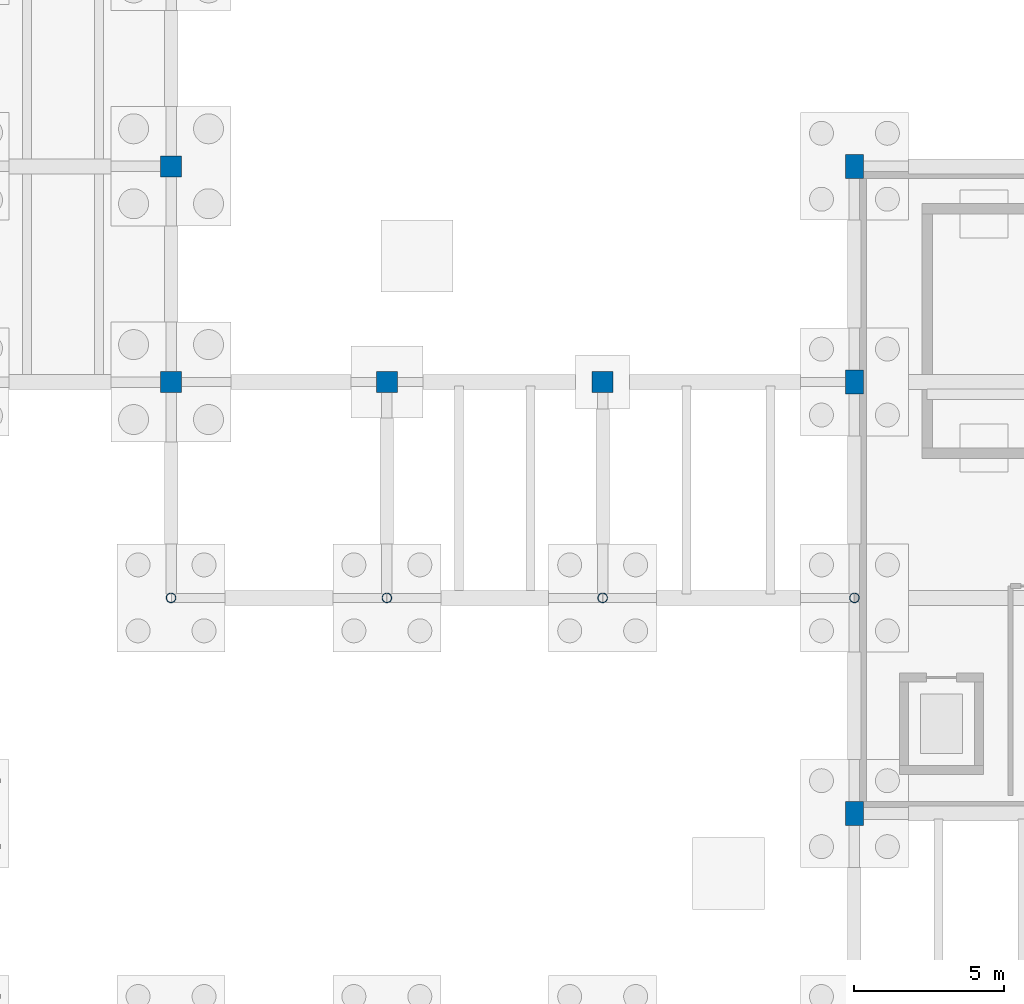
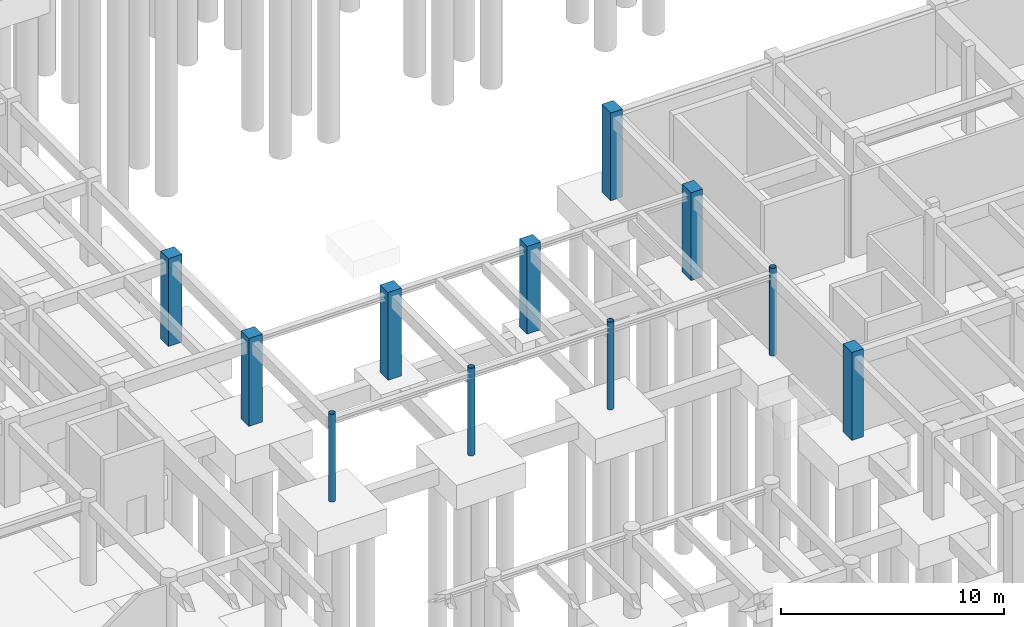
# One storey, part 16 of 46: 11 columns.
"""IFC4 building model written with IfcOpenShell, lengths in metres."""

import ifcopenshell
import ifcopenshell.guid

model = None  # the IFC model being written
_history = None  # IfcOwnerHistory: only IFC2X3 demands one
_inside = {}  # id of a spatial element -> (the spatial element, [elements in it])
_under = {}  # id of a project, library or spatial element -> (it, [spatial elements below it])
_declared = {}  # id of a project -> (the project, [libraries it declares])
_typed = {}  # id of a type object -> (the type object, [elements of that type])
_made_of = {}  # id of a material, layer set ... -> (it, [elements and type objects made of it])


def new_model(schema):
    """Start an empty IFC model of exactly this schema.

    Asked for "IFC4X3", IfcOpenShell would pick the latest addendum, in which some entities
    have other attributes; the version numbers below select the first issue.
    IFC2X3 requires an IfcOwnerHistory on every rooted entity: one is made here for all.
    """
    global model, _history
    if schema == "IFC4X3":
        model = ifcopenshell.file(schema_version=(4, 3, 0, 0))
    else:
        model = ifcopenshell.file(schema=schema)
    _inside.clear()
    _under.clear()
    _declared.clear()
    _typed.clear()
    _made_of.clear()
    _history = None
    if model.schema == "IFC2X3":
        org = make("IfcOrganization", Name="unknown")
        user = make(
            "IfcPersonAndOrganization",
            ThePerson=make("IfcPerson", FamilyName="unknown"),
            TheOrganization=org,
        )
        app = make(
            "IfcApplication",
            ApplicationDeveloper=org,
            Version="unknown",
            ApplicationFullName="unknown",
            ApplicationIdentifier="unknown",
        )
        _history = make(
            "IfcOwnerHistory",
            OwningUser=user,
            OwningApplication=app,
            ChangeAction="ADDED",
            CreationDate=0,
        )
    return model


def make(cls, **values):
    """One entity of the class cls with the attributes given. An attribute that is None is left unset."""
    return model.create_entity(
        cls, **{name: value for name, value in values.items() if value is not None}
    )


def rooted(cls, **values):
    """An entity with a GlobalId (a new one), such as an element, a storey or a relation."""
    return make(cls, GlobalId=ifcopenshell.guid.new(), OwnerHistory=_history, **values)


def si_unit(unit_type, name, prefix=None):
    """IfcSIUnit, for example si_unit("LENGTHUNIT", "METRE", prefix="MILLI")."""
    return make("IfcSIUnit", UnitType=unit_type, Prefix=prefix, Name=name)


def assignment(units):
    """IfcUnitAssignment: the units of a project."""
    return None if units is None else make("IfcUnitAssignment", Units=units)


def point(xyz):
    """IfcCartesianPoint."""
    return None if xyz is None else make("IfcCartesianPoint", Coordinates=xyz)


def direction(xyz):
    """IfcDirection."""
    return None if xyz is None else make("IfcDirection", DirectionRatios=xyz)


def frame(location, z_axis=None, x_axis=None):
    """IfcAxis2Placement3D, a coordinate frame: its origin and axes. An axis left out is left unset."""
    return make(
        "IfcAxis2Placement3D",
        Location=point(location),
        Axis=direction(z_axis),
        RefDirection=direction(x_axis),
    )


def frame_2d(location, x_axis=None):
    """IfcAxis2Placement2D, a coordinate frame in the plane: its origin and x axis."""
    return make(
        "IfcAxis2Placement2D", Location=point(location), RefDirection=direction(x_axis)
    )


def origin():
    """The frame at (0, 0, 0) with its axes left unset."""
    return frame((0.0, 0.0, 0.0))


def origin_2d():
    """The frame at (0, 0) in the plane with its x axis left unset."""
    return frame_2d((0.0, 0.0))


def place(relative_to, where):
    """IfcLocalPlacement: puts the frame where relative to a parent placement (None: the world)."""
    return make(
        "IfcLocalPlacement", PlacementRelTo=relative_to, RelativePlacement=where
    )


def context(
    kind, dimensions, precision=None, world=None, true_north=None, identifier=None
):
    """IfcGeometricRepresentationContext, for example the 3D "Model" context."""
    return make(
        "IfcGeometricRepresentationContext",
        ContextIdentifier=identifier,
        ContextType=kind,
        CoordinateSpaceDimension=dimensions,
        Precision=precision,
        WorldCoordinateSystem=world,
        TrueNorth=true_north,
    )


def subcontext(parent, identifier, kind, view, scale=None):
    """IfcGeometricRepresentationSubContext, for example "Body" below "Model"."""
    return make(
        "IfcGeometricRepresentationSubContext",
        ContextIdentifier=identifier,
        ContextType=kind,
        ParentContext=parent,
        TargetScale=scale,
        TargetView=view,
    )


def project(units=None, contexts=None):
    """IfcProject with its units and contexts."""
    return rooted(
        "IfcProject",
        Name="project",
        RepresentationContexts=contexts,
        UnitsInContext=assignment(units),
    )


def spatial(cls, under=None, at=None, **own):
    """A site, building, storey or space (cls), placed at a placement, below another one or the project."""
    s = rooted(cls, ObjectPlacement=at, **own)
    if under is not None:
        _under.setdefault(under.id(), (under, []))[1].append(s)
    return s


def profile(cls, at=None, kind="AREA", **sizes):
    """A parametric profile (cls). Its sizes go by their IFC names, for example OverallWidth=200.0."""
    return make(cls, ProfileType=kind, Position=at, **sizes)


def rectangle(**sizes):
    """IfcRectangleProfileDef."""
    return profile("IfcRectangleProfileDef", **sizes)


def hollow_circle(**sizes):
    """IfcCircleHollowProfileDef."""
    return profile("IfcCircleHollowProfileDef", **sizes)


def extrude(swept, where, along, depth):
    """IfcExtrudedAreaSolid: the profile swept, set in the frame where, extruded along a direction by depth."""
    return make(
        "IfcExtrudedAreaSolid",
        SweptArea=swept,
        Position=where,
        ExtrudedDirection=direction(along),
        Depth=depth,
    )


def shape(context_of_items, identifier, shape_type, items):
    """IfcShapeRepresentation: the items that make up one representation, for example the "Body"."""
    return make(
        "IfcShapeRepresentation",
        ContextOfItems=context_of_items,
        RepresentationIdentifier=identifier,
        RepresentationType=shape_type,
        Items=items,
    )


def material(Name=None, Category=None):
    """IfcMaterial."""
    return make("IfcMaterial", Name=Name, Category=Category)


def material_profile(
    of_material, cross_section, Name=None, Category=None, Priority=None
):
    """IfcMaterialProfile: a cross section and its material."""
    return make(
        "IfcMaterialProfile",
        Name=Name,
        Material=of_material,
        Profile=cross_section,
        Priority=Priority,
        Category=Category,
    )


def profile_set(profiles, Name=None, composite=None):
    """IfcMaterialProfileSet."""
    return make(
        "IfcMaterialProfileSet",
        Name=Name,
        MaterialProfiles=profiles,
        CompositeProfile=composite,
    )


def made_of(thing, what):
    """Note that an element or type object is made of a material, layer set ...; save() writes the relation."""
    if what is not None:
        _made_of.setdefault(what.id(), (what, []))[1].append(thing)
    return thing


def type_object(cls, material=None, **own):
    """A type object (cls), such as IfcWallType, which elements share."""
    return made_of(rooted(cls, **own), material)


def element(
    cls,
    number,
    at=None,
    inside=None,
    cuts=None,
    type_object=None,
    material=None,
    context=None,
    identifier="Body",
    shape_type=None,
    held_by="IfcProductDefinitionShape",
    body=None,
    shapes=None,
    **own,
):
    """One element of the class cls, such as IfcWall. Its Tag is "e" and its number.

    at: its placement. inside: the storey or other place that contains it. cuts: it is an
    opening in that element (IfcRelVoidsElement). A single representation is given by context,
    identifier, shape_type and body (its items); several are given by shapes. held_by: the class
    of the entity that holds the representations. save() writes the other relations.
    """
    e = rooted(cls, Tag="e%d" % number, ObjectPlacement=at, **own)
    if body is not None:
        shapes = [shape(context, identifier, shape_type, body)]
    if shapes is not None:
        e.Representation = make(held_by, Representations=shapes)
    if inside is not None:
        _inside.setdefault(inside.id(), (inside, []))[1].append(e)
    if cuts is not None:
        rooted(
            "IfcRelVoidsElement", RelatingBuildingElement=cuts, RelatedOpeningElement=e
        )
    if type_object is not None:
        _typed.setdefault(type_object.id(), (type_object, []))[1].append(e)
    return made_of(e, material)


def aggregate(whole, parts):
    """IfcRelAggregates: a whole, such as a stair, and the parts it consists of."""
    return rooted("IfcRelAggregates", RelatingObject=whole, RelatedObjects=parts)


def save(model, path):
    """Write the relations noted so far, then the file.

    IfcRelAggregates (storeys below a building ...), IfcRelContainedInSpatialStructure (elements
    in a storey), IfcRelDefinesByType, IfcRelAssociatesMaterial and IfcRelDeclares: one each for
    every whole, place, type object, material and project.
    """
    for whole, parts in _under.values():
        aggregate(whole, parts)
    for where, things in _inside.values():
        rooted(
            "IfcRelContainedInSpatialStructure",
            RelatedElements=things,
            RelatingStructure=where,
        )
    for kind, things in _typed.values():
        rooted("IfcRelDefinesByType", RelatedObjects=things, RelatingType=kind)
    for what, things in _made_of.values():
        rooted("IfcRelAssociatesMaterial", RelatedObjects=things, RelatingMaterial=what)
    for by, libraries in _declared.values():
        rooted("IfcRelDeclares", RelatingContext=by, RelatedDefinitions=libraries)
    model.write(path)


model = new_model("IFC4")

# Units and contexts
model_context = context("Model", 3, precision=1e-05, world=origin(), true_north=direction((0.0, 1.0)))
body_context = subcontext(model_context, "Body", "Model", "MODEL_VIEW")
ifc_project = project(units=[si_unit("LENGTHUNIT", "METRE"), si_unit("AREAUNIT", "SQUARE_METRE"), si_unit("VOLUMEUNIT", "CUBIC_METRE"), si_unit("PLANEANGLEUNIT", "RADIAN"), si_unit("MASSUNIT", "GRAM", prefix="KILO")], contexts=[model_context])

# Site, building, storey
site_placement = place(None, origin())
site = spatial("IfcSite", under=ifc_project, at=site_placement, CompositionType="ELEMENT")
building_placement = place(site_placement, origin())
building = spatial("IfcBuilding", under=site, at=building_placement, Name="Tazoul Stagehouse", CompositionType="ELEMENT")
storey_placement = place(building_placement, frame((0.0, 0.0, -4.800048828125)))
storey = spatial("IfcBuildingStorey", under=building, at=storey_placement, Name="B1", CompositionType="ELEMENT", Elevation=-4.800048828125)

# Columns
ifc_material_1 = material(Name="Concrete C40/50", Category="concrete")
ifc_material_profile_1 = material_profile(ifc_material_1, rectangle(XDim=0.60009765625, YDim=0.800048828125, at=origin_2d()), Name="RC 600x800")
ifc_profile_set_1 = profile_set([ifc_material_profile_1], Name="Concrete C40/50")
column_type_1 = type_object("IfcColumnType", Name="RC Column 600x800 (Exterior)", PredefinedType="COLUMN", material=ifc_profile_set_1)
for number, where, z_axis, x_axis, name in (
    (1, (125.39990234375, 37.39990234375, 0.0), (0.0, 0.0, 1.0), (1.0, 0.0, 0.0), "B1 Column C-06E at 19/F"),
    (2, (125.39990234375, 51.800048828125, 0.0), (0.0, 0.0, 1.0), (1.0, 0.0, 0.0), "B1 Column C-06E at 19/H"),
    (3, (125.39990234375, 59.0, 0.0), (0.0, 0.0, 1.0), (1.0, 0.0, 0.0), "B1 Column C-06E at 19/J"),
):
    element("IfcColumn", number, at=place(storey_placement, frame(where, z_axis=z_axis, x_axis=x_axis)), inside=storey, type_object=column_type_1, Name=name, PredefinedType="COLUMN", context=body_context, shape_type="SweptSolid", body=[
        extrude(rectangle(XDim=0.60009765625, YDim=0.800048828125, at=origin_2d()), origin(), (0.0, 0.0, 1.0), 4.800048828125),
    ])
ifc_material_profile_2 = material_profile(ifc_material_1, rectangle(XDim=0.699951171875, YDim=0.699951171875, at=origin_2d()), Name="RC 700x700")
ifc_profile_set_2 = profile_set([ifc_material_profile_2], Name="Concrete C40/50")
column_type_2 = type_object("IfcColumnType", Name="RC Column 700x700 (Exterior)", PredefinedType="COLUMN", material=ifc_profile_set_2)
for number, where, z_axis, x_axis, name in (
    (4, (102.60009765625, 51.800048828125, 0.0), (0.0, 0.0, 1.0), (1.0, 0.0, 0.0), "B1 Column C-04E at 16/H"),
    (5, (102.60009765625, 59.0, 0.0), (0.0, 0.0, 1.0), (1.0, 0.0, 0.0), "B1 Column C-04E at 16/J"),
    (6, (109.800048828125, 51.800048828125, 0.0), (0.0, 0.0, 1.0), (1.0, 0.0, 0.0), "B1 Column C-04E at 17/H"),
    (7, (117.0, 51.800048828125, 0.0), (0.0, 0.0, 1.0), (1.0, 0.0, 0.0), "B1 Column C-04E at 18/H"),
):
    element("IfcColumn", number, at=place(storey_placement, frame(where, z_axis=z_axis, x_axis=x_axis)), inside=storey, type_object=column_type_2, Name=name, PredefinedType="COLUMN", context=body_context, shape_type="SweptSolid", body=[
        extrude(rectangle(XDim=0.699951171875, YDim=0.699951171875, at=origin_2d()), origin(), (0.0, 0.0, 1.0), 4.800048828125),
    ])
ifc_material_2 = material(Name="Steel S355", Category="steel")
ifc_material_profile_3 = material_profile(ifc_material_2, hollow_circle(Radius=0.161865234375, WallThickness=0.012451171875, at=origin_2d()), Name="CHS 323.9x12.5")
ifc_profile_set_3 = profile_set([ifc_material_profile_3], Name="Steel S355")
column_type_3 = type_object("IfcColumnType", Name="Steel Arcade Column CHS 323.9x12.5 (Exterior)", PredefinedType="COLUMN", material=ifc_profile_set_3)
for number, where, z_axis, x_axis, name in (
    (8, (102.60009765625, 44.60009765625, 0.0), (0.0, 0.0, 1.0), (1.0, 0.0, 0.0), "B1 Column SC-07E at 16/G"),
    (9, (109.800048828125, 44.60009765625, 0.0), (0.0, 0.0, 1.0), (1.0, 0.0, 0.0), "B1 Column SC-07E at 17/G"),
    (10, (117.0, 44.60009765625, 0.0), (0.0, 0.0, 1.0), (1.0, 0.0, 0.0), "B1 Column SC-07E at 18/G"),
    (11, (125.39990234375, 44.60009765625, 0.0), (0.0, 0.0, 1.0), (1.0, 0.0, 0.0), "B1 Column SC-07E at 19/G"),
):
    element("IfcColumn", number, at=place(storey_placement, frame(where, z_axis=z_axis, x_axis=x_axis)), inside=storey, type_object=column_type_3, Name=name, PredefinedType="COLUMN", context=body_context, shape_type="SweptSolid", body=[
        extrude(hollow_circle(Radius=0.161865234375, WallThickness=0.012451171875, at=origin_2d()), origin(), (0.0, 0.0, 1.0), 4.800048828125),
    ])

save(model, "model.ifc")
